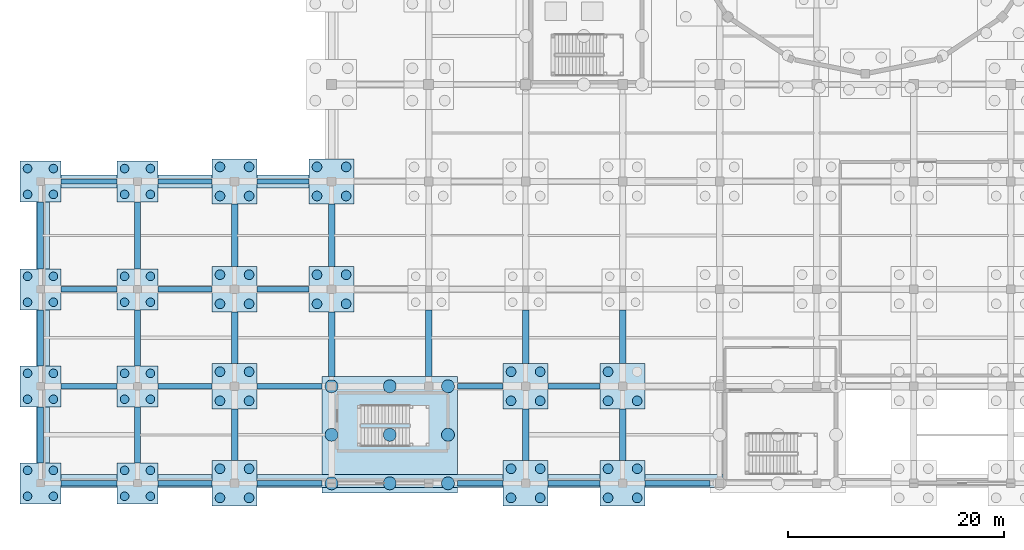
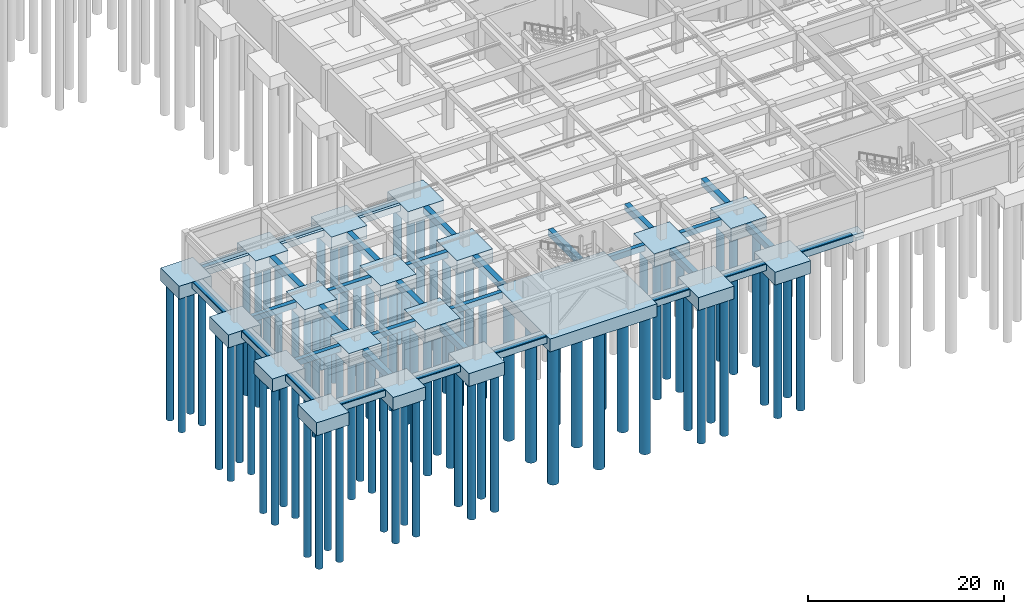
# One storey, part 1 of 62: 80 piles, 55 footings.
"""IFC4 building model written with IfcOpenShell, lengths in metres."""

import ifcopenshell
import ifcopenshell.guid

model = None  # the IFC model being written
_history = None  # IfcOwnerHistory: only IFC2X3 demands one
_inside = {}  # id of a spatial element -> (the spatial element, [elements in it])
_under = {}  # id of a project, library or spatial element -> (it, [spatial elements below it])
_declared = {}  # id of a project -> (the project, [libraries it declares])
_typed = {}  # id of a type object -> (the type object, [elements of that type])
_made_of = {}  # id of a material, layer set ... -> (it, [elements and type objects made of it])


def new_model(schema):
    """Start an empty IFC model of exactly this schema.

    Asked for "IFC4X3", IfcOpenShell would pick the latest addendum, in which some entities
    have other attributes; the version numbers below select the first issue.
    IFC2X3 requires an IfcOwnerHistory on every rooted entity: one is made here for all.
    """
    global model, _history
    if schema == "IFC4X3":
        model = ifcopenshell.file(schema_version=(4, 3, 0, 0))
    else:
        model = ifcopenshell.file(schema=schema)
    _inside.clear()
    _under.clear()
    _declared.clear()
    _typed.clear()
    _made_of.clear()
    _history = None
    if model.schema == "IFC2X3":
        org = make("IfcOrganization", Name="unknown")
        user = make(
            "IfcPersonAndOrganization",
            ThePerson=make("IfcPerson", FamilyName="unknown"),
            TheOrganization=org,
        )
        app = make(
            "IfcApplication",
            ApplicationDeveloper=org,
            Version="unknown",
            ApplicationFullName="unknown",
            ApplicationIdentifier="unknown",
        )
        _history = make(
            "IfcOwnerHistory",
            OwningUser=user,
            OwningApplication=app,
            ChangeAction="ADDED",
            CreationDate=0,
        )
    return model


def make(cls, **values):
    """One entity of the class cls with the attributes given. An attribute that is None is left unset."""
    return model.create_entity(
        cls, **{name: value for name, value in values.items() if value is not None}
    )


def rooted(cls, **values):
    """An entity with a GlobalId (a new one), such as an element, a storey or a relation."""
    return make(cls, GlobalId=ifcopenshell.guid.new(), OwnerHistory=_history, **values)


def si_unit(unit_type, name, prefix=None):
    """IfcSIUnit, for example si_unit("LENGTHUNIT", "METRE", prefix="MILLI")."""
    return make("IfcSIUnit", UnitType=unit_type, Prefix=prefix, Name=name)


def assignment(units):
    """IfcUnitAssignment: the units of a project."""
    return None if units is None else make("IfcUnitAssignment", Units=units)


def point(xyz):
    """IfcCartesianPoint."""
    return None if xyz is None else make("IfcCartesianPoint", Coordinates=xyz)


def direction(xyz):
    """IfcDirection."""
    return None if xyz is None else make("IfcDirection", DirectionRatios=xyz)


def frame(location, z_axis=None, x_axis=None):
    """IfcAxis2Placement3D, a coordinate frame: its origin and axes. An axis left out is left unset."""
    return make(
        "IfcAxis2Placement3D",
        Location=point(location),
        Axis=direction(z_axis),
        RefDirection=direction(x_axis),
    )


def frame_2d(location, x_axis=None):
    """IfcAxis2Placement2D, a coordinate frame in the plane: its origin and x axis."""
    return make(
        "IfcAxis2Placement2D", Location=point(location), RefDirection=direction(x_axis)
    )


def origin():
    """The frame at (0, 0, 0) with its axes left unset."""
    return frame((0.0, 0.0, 0.0))


def origin_2d():
    """The frame at (0, 0) in the plane with its x axis left unset."""
    return frame_2d((0.0, 0.0))


def place(relative_to, where):
    """IfcLocalPlacement: puts the frame where relative to a parent placement (None: the world)."""
    return make(
        "IfcLocalPlacement", PlacementRelTo=relative_to, RelativePlacement=where
    )


def context(
    kind, dimensions, precision=None, world=None, true_north=None, identifier=None
):
    """IfcGeometricRepresentationContext, for example the 3D "Model" context."""
    return make(
        "IfcGeometricRepresentationContext",
        ContextIdentifier=identifier,
        ContextType=kind,
        CoordinateSpaceDimension=dimensions,
        Precision=precision,
        WorldCoordinateSystem=world,
        TrueNorth=true_north,
    )


def subcontext(parent, identifier, kind, view, scale=None):
    """IfcGeometricRepresentationSubContext, for example "Body" below "Model"."""
    return make(
        "IfcGeometricRepresentationSubContext",
        ContextIdentifier=identifier,
        ContextType=kind,
        ParentContext=parent,
        TargetScale=scale,
        TargetView=view,
    )


def project(units=None, contexts=None):
    """IfcProject with its units and contexts."""
    return rooted(
        "IfcProject",
        Name="project",
        RepresentationContexts=contexts,
        UnitsInContext=assignment(units),
    )


def spatial(cls, under=None, at=None, **own):
    """A site, building, storey or space (cls), placed at a placement, below another one or the project."""
    s = rooted(cls, ObjectPlacement=at, **own)
    if under is not None:
        _under.setdefault(under.id(), (under, []))[1].append(s)
    return s


def polyline(points):
    """IfcPolyline through the points."""
    return make("IfcPolyline", Points=[point(p) for p in points])


def profile(cls, at=None, kind="AREA", **sizes):
    """A parametric profile (cls). Its sizes go by their IFC names, for example OverallWidth=200.0."""
    return make(cls, ProfileType=kind, Position=at, **sizes)


def rectangle(**sizes):
    """IfcRectangleProfileDef."""
    return profile("IfcRectangleProfileDef", **sizes)


def circle(**sizes):
    """IfcCircleProfileDef."""
    return profile("IfcCircleProfileDef", **sizes)


def outline(outer, holes=None, kind="AREA"):
    """IfcArbitraryClosedProfileDef: a profile drawn as a closed curve; with holes, ...WithVoids."""
    if holes is None:
        return make("IfcArbitraryClosedProfileDef", ProfileType=kind, OuterCurve=outer)
    return make(
        "IfcArbitraryProfileDefWithVoids",
        ProfileType=kind,
        OuterCurve=outer,
        InnerCurves=holes,
    )


def extrude(swept, where, along, depth):
    """IfcExtrudedAreaSolid: the profile swept, set in the frame where, extruded along a direction by depth."""
    return make(
        "IfcExtrudedAreaSolid",
        SweptArea=swept,
        Position=where,
        ExtrudedDirection=direction(along),
        Depth=depth,
    )


def shape(context_of_items, identifier, shape_type, items):
    """IfcShapeRepresentation: the items that make up one representation, for example the "Body"."""
    return make(
        "IfcShapeRepresentation",
        ContextOfItems=context_of_items,
        RepresentationIdentifier=identifier,
        RepresentationType=shape_type,
        Items=items,
    )


def material(Name=None, Category=None):
    """IfcMaterial."""
    return make("IfcMaterial", Name=Name, Category=Category)


def material_profile(
    of_material, cross_section, Name=None, Category=None, Priority=None
):
    """IfcMaterialProfile: a cross section and its material."""
    return make(
        "IfcMaterialProfile",
        Name=Name,
        Material=of_material,
        Profile=cross_section,
        Priority=Priority,
        Category=Category,
    )


def profile_set(profiles, Name=None, composite=None):
    """IfcMaterialProfileSet."""
    return make(
        "IfcMaterialProfileSet",
        Name=Name,
        MaterialProfiles=profiles,
        CompositeProfile=composite,
    )


def made_of(thing, what):
    """Note that an element or type object is made of a material, layer set ...; save() writes the relation."""
    if what is not None:
        _made_of.setdefault(what.id(), (what, []))[1].append(thing)
    return thing


def type_object(cls, material=None, **own):
    """A type object (cls), such as IfcWallType, which elements share."""
    return made_of(rooted(cls, **own), material)


def element(
    cls,
    number,
    at=None,
    inside=None,
    cuts=None,
    type_object=None,
    material=None,
    context=None,
    identifier="Body",
    shape_type=None,
    held_by="IfcProductDefinitionShape",
    body=None,
    shapes=None,
    **own,
):
    """One element of the class cls, such as IfcWall. Its Tag is "e" and its number.

    at: its placement. inside: the storey or other place that contains it. cuts: it is an
    opening in that element (IfcRelVoidsElement). A single representation is given by context,
    identifier, shape_type and body (its items); several are given by shapes. held_by: the class
    of the entity that holds the representations. save() writes the other relations.
    """
    e = rooted(cls, Tag="e%d" % number, ObjectPlacement=at, **own)
    if body is not None:
        shapes = [shape(context, identifier, shape_type, body)]
    if shapes is not None:
        e.Representation = make(held_by, Representations=shapes)
    if inside is not None:
        _inside.setdefault(inside.id(), (inside, []))[1].append(e)
    if cuts is not None:
        rooted(
            "IfcRelVoidsElement", RelatingBuildingElement=cuts, RelatedOpeningElement=e
        )
    if type_object is not None:
        _typed.setdefault(type_object.id(), (type_object, []))[1].append(e)
    return made_of(e, material)


def aggregate(whole, parts):
    """IfcRelAggregates: a whole, such as a stair, and the parts it consists of."""
    return rooted("IfcRelAggregates", RelatingObject=whole, RelatedObjects=parts)


def save(model, path):
    """Write the relations noted so far, then the file.

    IfcRelAggregates (storeys below a building ...), IfcRelContainedInSpatialStructure (elements
    in a storey), IfcRelDefinesByType, IfcRelAssociatesMaterial and IfcRelDeclares: one each for
    every whole, place, type object, material and project.
    """
    for whole, parts in _under.values():
        aggregate(whole, parts)
    for where, things in _inside.values():
        rooted(
            "IfcRelContainedInSpatialStructure",
            RelatedElements=things,
            RelatingStructure=where,
        )
    for kind, things in _typed.values():
        rooted("IfcRelDefinesByType", RelatedObjects=things, RelatingType=kind)
    for what, things in _made_of.values():
        rooted("IfcRelAssociatesMaterial", RelatedObjects=things, RelatingMaterial=what)
    for by, libraries in _declared.values():
        rooted("IfcRelDeclares", RelatingContext=by, RelatedDefinitions=libraries)
    model.write(path)


model = new_model("IFC4")

# Units and contexts
model_context = context("Model", 3, precision=1e-05, world=origin(), true_north=direction((0.0, 1.0)))
body_context = subcontext(model_context, "Body", "Model", "MODEL_VIEW")
ifc_project = project(units=[si_unit("LENGTHUNIT", "METRE"), si_unit("AREAUNIT", "SQUARE_METRE"), si_unit("VOLUMEUNIT", "CUBIC_METRE"), si_unit("PLANEANGLEUNIT", "RADIAN"), si_unit("MASSUNIT", "GRAM", prefix="KILO")], contexts=[model_context])

# Site, building, storey
site_placement = place(None, origin())
site = spatial("IfcSite", under=ifc_project, at=site_placement, CompositionType="ELEMENT")
building_placement = place(site_placement, origin())
building = spatial("IfcBuilding", under=site, at=building_placement, Name="Miravela Opera House", CompositionType="ELEMENT")
storey_placement = place(building_placement, frame((0.0, 0.0, -5.10009765625)))
storey = spatial("IfcBuildingStorey", under=building, at=storey_placement, Name="B01", CompositionType="ELEMENT", Elevation=-5.10009765625)

# Footings
ifc_material = material(Name="Concrete C35/45", Category="concrete")
footing_type_1 = type_object("IfcFootingType", Name="STR-GB-500X750", PredefinedType="FOOTING_BEAM", material=ifc_material)
footing_1_placement = place(storey_placement, frame((0.0, 0.0, -0.75)))
element("IfcFooting", 1, at=footing_1_placement, inside=storey, type_object=footing_type_1, Name="Seismic Grade Tie Beam GB-X-180", PredefinedType="FOOTING_BEAM", context=body_context, shape_type="SweptSolid", body=[
    extrude(outline(polyline([(1.89990234375, -0.25), (7.10009765625, -0.25), (7.10009765625, 0.25), (1.89990234375, 0.25), (1.89990234375, -0.25)])), origin(), (0.0, 0.0, 1.0), 0.75),
])
footing_2_placement = place(storey_placement, frame((0.0, 0.0, -0.75)))
element("IfcFooting", 2, at=footing_2_placement, inside=storey, type_object=footing_type_1, Name="Seismic Grade Tie Beam GB-X-181", PredefinedType="FOOTING_BEAM", context=body_context, shape_type="SweptSolid", body=[
    extrude(outline(polyline([(10.89990234375, -0.25), (15.89990234375, -0.25), (15.89990234375, 0.25), (10.89990234375, 0.25), (10.89990234375, -0.25)])), origin(), (0.0, 0.0, 1.0), 0.75),
])
footing_3_placement = place(storey_placement, frame((0.0, 0.0, -0.75)))
element("IfcFooting", 3, at=footing_3_placement, inside=storey, type_object=footing_type_1, Name="Seismic Grade Tie Beam GB-X-182", PredefinedType="FOOTING_BEAM", context=body_context, shape_type="SweptSolid", body=[
    extrude(outline(polyline([(20.10009765625, -0.25), (26.10009765625, -0.25), (26.10009765625, 0.25), (20.10009765625, 0.25), (20.10009765625, -0.25)])), origin(), (0.0, 0.0, 1.0), 0.75),
])
footing_4_placement = place(storey_placement, frame((0.0, 0.0, -0.75)))
element("IfcFooting", 4, at=footing_4_placement, inside=storey, type_object=footing_type_1, Name="Seismic Grade Tie Beam GB-X-183", PredefinedType="FOOTING_BEAM", context=body_context, shape_type="SweptSolid", body=[
    extrude(outline(polyline([(38.699951171875, -0.25), (42.89990234375, -0.25), (42.89990234375, 0.25), (38.699951171875, 0.25), (38.699951171875, -0.25)])), origin(), (0.0, 0.0, 1.0), 0.75),
])
footing_5_placement = place(storey_placement, frame((0.0, 0.0, -0.75)))
element("IfcFooting", 5, at=footing_5_placement, inside=storey, type_object=footing_type_1, Name="Seismic Grade Tie Beam GB-X-184", PredefinedType="FOOTING_BEAM", context=body_context, shape_type="SweptSolid", body=[
    extrude(outline(polyline([(47.10009765625, -0.25), (51.89990234375, -0.25), (51.89990234375, 0.25), (47.10009765625, 0.25), (47.10009765625, -0.25)])), origin(), (0.0, 0.0, 1.0), 0.75),
])
footing_6_placement = place(storey_placement, frame((0.0, 0.0, -0.75)))
element("IfcFooting", 6, at=footing_6_placement, inside=storey, type_object=footing_type_1, Name="Seismic Grade Tie Beam GB-X-185", PredefinedType="FOOTING_BEAM", context=body_context, shape_type="SweptSolid", body=[
    extrude(outline(polyline([(56.10009765625, -0.25), (62.10009765625, -0.25), (62.10009765625, 0.25), (56.10009765625, 0.25), (56.10009765625, -0.25)])), origin(), (0.0, 0.0, 1.0), 0.75),
])
footing_7_placement = place(storey_placement, frame((0.0, 0.0, -0.75)))
element("IfcFooting", 7, at=footing_7_placement, inside=storey, type_object=footing_type_1, Name="Seismic Grade Tie Beam GB-X-195", PredefinedType="FOOTING_BEAM", context=body_context, shape_type="SweptSolid", body=[
    extrude(outline(polyline([(1.89990234375, 8.75), (7.10009765625, 8.75), (7.10009765625, 9.25), (1.89990234375, 9.25), (1.89990234375, 8.75)])), origin(), (0.0, 0.0, 1.0), 0.75),
])
footing_8_placement = place(storey_placement, frame((0.0, 0.0, -0.75)))
element("IfcFooting", 8, at=footing_8_placement, inside=storey, type_object=footing_type_1, Name="Seismic Grade Tie Beam GB-X-196", PredefinedType="FOOTING_BEAM", context=body_context, shape_type="SweptSolid", body=[
    extrude(outline(polyline([(10.89990234375, 8.75), (15.89990234375, 8.75), (15.89990234375, 9.25), (10.89990234375, 9.25), (10.89990234375, 8.75)])), origin(), (0.0, 0.0, 1.0), 0.75),
])
footing_9_placement = place(storey_placement, frame((0.0, 0.0, -0.75)))
element("IfcFooting", 9, at=footing_9_placement, inside=storey, type_object=footing_type_1, Name="Seismic Grade Tie Beam GB-X-197", PredefinedType="FOOTING_BEAM", context=body_context, shape_type="SweptSolid", body=[
    extrude(outline(polyline([(20.10009765625, 8.75), (26.10009765625, 8.75), (26.10009765625, 9.25), (20.10009765625, 9.25), (20.10009765625, 8.75)])), origin(), (0.0, 0.0, 1.0), 0.75),
])
footing_10_placement = place(storey_placement, frame((0.0, 0.0, -0.75)))
element("IfcFooting", 10, at=footing_10_placement, inside=storey, type_object=footing_type_1, Name="Seismic Grade Tie Beam GB-X-198", PredefinedType="FOOTING_BEAM", context=body_context, shape_type="SweptSolid", body=[
    extrude(outline(polyline([(38.699951171875, 8.75), (42.89990234375, 8.75), (42.89990234375, 9.25), (38.699951171875, 9.25), (38.699951171875, 8.75)])), origin(), (0.0, 0.0, 1.0), 0.75),
])
footing_11_placement = place(storey_placement, frame((0.0, 0.0, -0.75)))
element("IfcFooting", 11, at=footing_11_placement, inside=storey, type_object=footing_type_1, Name="Seismic Grade Tie Beam GB-X-199", PredefinedType="FOOTING_BEAM", context=body_context, shape_type="SweptSolid", body=[
    extrude(outline(polyline([(47.10009765625, 8.75), (51.89990234375, 8.75), (51.89990234375, 9.25), (47.10009765625, 9.25), (47.10009765625, 8.75)])), origin(), (0.0, 0.0, 1.0), 0.75),
])
footing_12_placement = place(storey_placement, frame((0.0, 0.0, -0.75)))
element("IfcFooting", 12, at=footing_12_placement, inside=storey, type_object=footing_type_1, Name="Seismic Grade Tie Beam GB-X-210", PredefinedType="FOOTING_BEAM", context=body_context, shape_type="SweptSolid", body=[
    extrude(outline(polyline([(1.89990234375, 17.75), (7.10009765625, 17.75), (7.10009765625, 18.25), (1.89990234375, 18.25), (1.89990234375, 17.75)])), origin(), (0.0, 0.0, 1.0), 0.75),
])
footing_13_placement = place(storey_placement, frame((0.0, 0.0, -0.75)))
element("IfcFooting", 13, at=footing_13_placement, inside=storey, type_object=footing_type_1, Name="Seismic Grade Tie Beam GB-X-211", PredefinedType="FOOTING_BEAM", context=body_context, shape_type="SweptSolid", body=[
    extrude(outline(polyline([(10.89990234375, 17.75), (15.89990234375, 17.75), (15.89990234375, 18.25), (10.89990234375, 18.25), (10.89990234375, 17.75)])), origin(), (0.0, 0.0, 1.0), 0.75),
])
footing_14_placement = place(storey_placement, frame((0.0, 0.0, -0.75)))
element("IfcFooting", 14, at=footing_14_placement, inside=storey, type_object=footing_type_1, Name="Seismic Grade Tie Beam GB-X-212", PredefinedType="FOOTING_BEAM", context=body_context, shape_type="SweptSolid", body=[
    extrude(outline(polyline([(20.10009765625, 17.75), (24.89990234375, 17.75), (24.89990234375, 18.25), (20.10009765625, 18.25), (20.10009765625, 17.75)])), origin(), (0.0, 0.0, 1.0), 0.75),
])
footing_15_placement = place(storey_placement, frame((0.0, 0.0, -0.75)))
element("IfcFooting", 15, at=footing_15_placement, inside=storey, type_object=footing_type_1, Name="Seismic Grade Tie Beam GB-X-228", PredefinedType="FOOTING_BEAM", context=body_context, shape_type="SweptSolid", body=[
    extrude(outline(polyline([(1.89990234375, 27.75), (7.10009765625, 27.75), (7.10009765625, 28.25), (1.89990234375, 28.25), (1.89990234375, 27.75)])), origin(), (0.0, 0.0, 1.0), 0.75),
])
footing_16_placement = place(storey_placement, frame((0.0, 0.0, -0.75)))
element("IfcFooting", 16, at=footing_16_placement, inside=storey, type_object=footing_type_1, Name="Seismic Grade Tie Beam GB-X-229", PredefinedType="FOOTING_BEAM", context=body_context, shape_type="SweptSolid", body=[
    extrude(outline(polyline([(10.89990234375, 27.75), (15.89990234375, 27.75), (15.89990234375, 28.25), (10.89990234375, 28.25), (10.89990234375, 27.75)])), origin(), (0.0, 0.0, 1.0), 0.75),
])
footing_17_placement = place(storey_placement, frame((0.0, 0.0, -0.75)))
element("IfcFooting", 17, at=footing_17_placement, inside=storey, type_object=footing_type_1, Name="Seismic Grade Tie Beam GB-X-230", PredefinedType="FOOTING_BEAM", context=body_context, shape_type="SweptSolid", body=[
    extrude(outline(polyline([(20.10009765625, 27.75), (24.89990234375, 27.75), (24.89990234375, 28.25), (20.10009765625, 28.25), (20.10009765625, 27.75)])), origin(), (0.0, 0.0, 1.0), 0.75),
])
footing_type_2 = type_object("IfcFootingType", Name="STR-GB-600X800", PredefinedType="FOOTING_BEAM", material=ifc_material)
footing_18_placement = place(storey_placement, frame((0.0, 0.0, -0.7998046875)))
element("IfcFooting", 18, at=footing_18_placement, inside=storey, type_object=footing_type_2, Name="Seismic Grade Tie Beam GB-Y-001", PredefinedType="FOOTING_BEAM", context=body_context, shape_type="SweptSolid", body=[
    extrude(outline(polyline([(-0.300048828125, 1.89990234375), (0.300048828125, 1.89990234375), (0.300048828125, 7.10009765625), (-0.300048828125, 7.10009765625), (-0.300048828125, 1.89990234375)])), origin(), (0.0, 0.0, 1.0), 0.7998046875),
])
footing_19_placement = place(storey_placement, frame((0.0, 0.0, -0.7998046875)))
element("IfcFooting", 19, at=footing_19_placement, inside=storey, type_object=footing_type_2, Name="Seismic Grade Tie Beam GB-Y-002", PredefinedType="FOOTING_BEAM", context=body_context, shape_type="SweptSolid", body=[
    extrude(outline(polyline([(-0.300048828125, 10.89990234375), (0.300048828125, 10.89990234375), (0.300048828125, 16.10009765625), (-0.300048828125, 16.10009765625), (-0.300048828125, 10.89990234375)])), origin(), (0.0, 0.0, 1.0), 0.7998046875),
])
footing_20_placement = place(storey_placement, frame((0.0, 0.0, -0.7998046875)))
element("IfcFooting", 20, at=footing_20_placement, inside=storey, type_object=footing_type_2, Name="Seismic Grade Tie Beam GB-Y-003", PredefinedType="FOOTING_BEAM", context=body_context, shape_type="SweptSolid", body=[
    extrude(outline(polyline([(-0.300048828125, 19.89990234375), (0.300048828125, 19.89990234375), (0.300048828125, 26.10009765625), (-0.300048828125, 26.10009765625), (-0.300048828125, 19.89990234375)])), origin(), (0.0, 0.0, 1.0), 0.7998046875),
])
footing_21_placement = place(storey_placement, frame((0.0, 0.0, -0.7998046875)))
element("IfcFooting", 21, at=footing_21_placement, inside=storey, type_object=footing_type_2, Name="Seismic Grade Tie Beam GB-Y-007", PredefinedType="FOOTING_BEAM", context=body_context, shape_type="SweptSolid", body=[
    extrude(outline(polyline([(8.699951171875, 1.89990234375), (9.300048828125, 1.89990234375), (9.300048828125, 7.10009765625), (8.699951171875, 7.10009765625), (8.699951171875, 1.89990234375)])), origin(), (0.0, 0.0, 1.0), 0.7998046875),
])
footing_22_placement = place(storey_placement, frame((0.0, 0.0, -0.7998046875)))
element("IfcFooting", 22, at=footing_22_placement, inside=storey, type_object=footing_type_2, Name="Seismic Grade Tie Beam GB-Y-008", PredefinedType="FOOTING_BEAM", context=body_context, shape_type="SweptSolid", body=[
    extrude(outline(polyline([(8.699951171875, 10.89990234375), (9.300048828125, 10.89990234375), (9.300048828125, 16.10009765625), (8.699951171875, 16.10009765625), (8.699951171875, 10.89990234375)])), origin(), (0.0, 0.0, 1.0), 0.7998046875),
])
footing_23_placement = place(storey_placement, frame((0.0, 0.0, -0.7998046875)))
element("IfcFooting", 23, at=footing_23_placement, inside=storey, type_object=footing_type_2, Name="Seismic Grade Tie Beam GB-Y-009", PredefinedType="FOOTING_BEAM", context=body_context, shape_type="SweptSolid", body=[
    extrude(outline(polyline([(8.699951171875, 19.89990234375), (9.300048828125, 19.89990234375), (9.300048828125, 26.10009765625), (8.699951171875, 26.10009765625), (8.699951171875, 19.89990234375)])), origin(), (0.0, 0.0, 1.0), 0.7998046875),
])
footing_24_placement = place(storey_placement, frame((0.0, 0.0, -0.7998046875)))
element("IfcFooting", 24, at=footing_24_placement, inside=storey, type_object=footing_type_2, Name="Seismic Grade Tie Beam GB-Y-013", PredefinedType="FOOTING_BEAM", context=body_context, shape_type="SweptSolid", body=[
    extrude(outline(polyline([(17.699951171875, 2.10009765625), (18.300048828125, 2.10009765625), (18.300048828125, 6.89990234375), (17.699951171875, 6.89990234375), (17.699951171875, 2.10009765625)])), origin(), (0.0, 0.0, 1.0), 0.7998046875),
])
footing_25_placement = place(storey_placement, frame((0.0, 0.0, -0.7998046875)))
element("IfcFooting", 25, at=footing_25_placement, inside=storey, type_object=footing_type_2, Name="Seismic Grade Tie Beam GB-Y-014", PredefinedType="FOOTING_BEAM", context=body_context, shape_type="SweptSolid", body=[
    extrude(outline(polyline([(17.699951171875, 11.10009765625), (18.300048828125, 11.10009765625), (18.300048828125, 15.89990234375), (17.699951171875, 15.89990234375), (17.699951171875, 11.10009765625)])), origin(), (0.0, 0.0, 1.0), 0.7998046875),
])
footing_26_placement = place(storey_placement, frame((0.0, 0.0, -0.7998046875)))
element("IfcFooting", 26, at=footing_26_placement, inside=storey, type_object=footing_type_2, Name="Seismic Grade Tie Beam GB-Y-015", PredefinedType="FOOTING_BEAM", context=body_context, shape_type="SweptSolid", body=[
    extrude(outline(polyline([(17.699951171875, 20.10009765625), (18.300048828125, 20.10009765625), (18.300048828125, 25.89990234375), (17.699951171875, 25.89990234375), (17.699951171875, 20.10009765625)])), origin(), (0.0, 0.0, 1.0), 0.7998046875),
])
footing_27_placement = place(storey_placement, frame((0.0, 0.0, -0.7998046875)))
element("IfcFooting", 27, at=footing_27_placement, inside=storey, type_object=footing_type_2, Name="Seismic Grade Tie Beam GB-Y-019", PredefinedType="FOOTING_BEAM", context=body_context, shape_type="SweptSolid", body=[
    extrude(outline(polyline([(26.699951171875, 9.89990234375), (27.300048828125, 9.89990234375), (27.300048828125, 15.89990234375), (26.699951171875, 15.89990234375), (26.699951171875, 9.89990234375)])), origin(), (0.0, 0.0, 1.0), 0.7998046875),
])
footing_28_placement = place(storey_placement, frame((0.0, 0.0, -0.7998046875)))
element("IfcFooting", 28, at=footing_28_placement, inside=storey, type_object=footing_type_2, Name="Seismic Grade Tie Beam GB-Y-020", PredefinedType="FOOTING_BEAM", context=body_context, shape_type="SweptSolid", body=[
    extrude(outline(polyline([(26.699951171875, 20.10009765625), (27.300048828125, 20.10009765625), (27.300048828125, 25.89990234375), (26.699951171875, 25.89990234375), (26.699951171875, 20.10009765625)])), origin(), (0.0, 0.0, 1.0), 0.7998046875),
])
footing_29_placement = place(storey_placement, frame((0.0, 0.0, -0.7998046875)))
element("IfcFooting", 29, at=footing_29_placement, inside=storey, type_object=footing_type_2, Name="Seismic Grade Tie Beam GB-Y-030", PredefinedType="FOOTING_BEAM", context=body_context, shape_type="SweptSolid", body=[
    extrude(outline(polyline([(35.699951171875, 9.89990234375), (36.300048828125, 9.89990234375), (36.300048828125, 16.10009765625), (35.699951171875, 16.10009765625), (35.699951171875, 9.89990234375)])), origin(), (0.0, 0.0, 1.0), 0.7998046875),
])
footing_30_placement = place(storey_placement, frame((0.0, 0.0, -0.7998046875)))
element("IfcFooting", 30, at=footing_30_placement, inside=storey, type_object=footing_type_2, Name="Seismic Grade Tie Beam GB-Y-041", PredefinedType="FOOTING_BEAM", context=body_context, shape_type="SweptSolid", body=[
    extrude(outline(polyline([(44.699951171875, 2.10009765625), (45.300048828125, 2.10009765625), (45.300048828125, 6.89990234375), (44.699951171875, 6.89990234375), (44.699951171875, 2.10009765625)])), origin(), (0.0, 0.0, 1.0), 0.7998046875),
])
footing_31_placement = place(storey_placement, frame((0.0, 0.0, -0.7998046875)))
element("IfcFooting", 31, at=footing_31_placement, inside=storey, type_object=footing_type_2, Name="Seismic Grade Tie Beam GB-Y-042", PredefinedType="FOOTING_BEAM", context=body_context, shape_type="SweptSolid", body=[
    extrude(outline(polyline([(44.699951171875, 11.10009765625), (45.300048828125, 11.10009765625), (45.300048828125, 16.10009765625), (44.699951171875, 16.10009765625), (44.699951171875, 11.10009765625)])), origin(), (0.0, 0.0, 1.0), 0.7998046875),
])
footing_32_placement = place(storey_placement, frame((0.0, 0.0, -0.7998046875)))
element("IfcFooting", 32, at=footing_32_placement, inside=storey, type_object=footing_type_2, Name="Seismic Grade Tie Beam GB-Y-051", PredefinedType="FOOTING_BEAM", context=body_context, shape_type="SweptSolid", body=[
    extrude(outline(polyline([(53.699951171875, 2.10009765625), (54.300048828125, 2.10009765625), (54.300048828125, 6.89990234375), (53.699951171875, 6.89990234375), (53.699951171875, 2.10009765625)])), origin(), (0.0, 0.0, 1.0), 0.7998046875),
])
footing_33_placement = place(storey_placement, frame((0.0, 0.0, -0.7998046875)))
element("IfcFooting", 33, at=footing_33_placement, inside=storey, type_object=footing_type_2, Name="Seismic Grade Tie Beam GB-Y-052", PredefinedType="FOOTING_BEAM", context=body_context, shape_type="SweptSolid", body=[
    extrude(outline(polyline([(53.699951171875, 11.10009765625), (54.300048828125, 11.10009765625), (54.300048828125, 16.10009765625), (53.699951171875, 16.10009765625), (53.699951171875, 11.10009765625)])), origin(), (0.0, 0.0, 1.0), 0.7998046875),
])
footing_type_3 = type_object("IfcFootingType", Name="STR-PC-12600X10800X1600", PredefinedType="PILE_CAP", material=ifc_material)
footing_34_placement = place(storey_placement, frame((32.39990234375, 4.5, -1.599853515625), z_axis=(0.0, 0.0, 1.0), x_axis=(1.0, 0.0, 0.0)))
element("IfcFooting", 34, at=footing_34_placement, inside=storey, type_object=footing_type_3, Name="Pile Cap PC-B01-025 (PC-03)", PredefinedType="PILE_CAP", context=body_context, shape_type="SweptSolid", body=[
    extrude(rectangle(XDim=12.60009765625, YDim=10.800048828125, at=origin_2d()), origin(), (0.0, 0.0, 1.0), 1.60009765625),
])
footing_type_4 = type_object("IfcFootingType", Name="STR-PC-3800X3800X1600", PredefinedType="PILE_CAP", material=ifc_material)
for number, where, z_axis, x_axis, name in (
    (35, (0.0, 0.0, -1.599853515625), (0.0, 0.0, 1.0), (1.0, 0.0, 0.0), "Pile Cap PC-B01-001 (PC-01)"),
    (36, (0.0, 9.0, -1.599853515625), (0.0, 0.0, 1.0), (1.0, 0.0, 0.0), "Pile Cap PC-B01-002 (PC-01)"),
    (37, (0.0, 18.0, -1.599853515625), (0.0, 0.0, 1.0), (1.0, 0.0, 0.0), "Pile Cap PC-B01-003 (PC-01)"),
    (38, (0.0, 28.0, -1.599853515625), (0.0, 0.0, 1.0), (1.0, 0.0, 0.0), "Pile Cap PC-B01-004 (PC-01)"),
    (39, (9.0, 0.0, -1.599853515625), (0.0, 0.0, 1.0), (1.0, 0.0, 0.0), "Pile Cap PC-B01-009 (PC-01)"),
    (40, (9.0, 9.0, -1.599853515625), (0.0, 0.0, 1.0), (1.0, 0.0, 0.0), "Pile Cap PC-B01-010 (PC-01)"),
    (41, (9.0, 18.0, -1.599853515625), (0.0, 0.0, 1.0), (1.0, 0.0, 0.0), "Pile Cap PC-B01-011 (PC-01)"),
    (42, (9.0, 28.0, -1.599853515625), (0.0, 0.0, 1.0), (1.0, 0.0, 0.0), "Pile Cap PC-B01-012 (PC-01)"),
):
    element("IfcFooting", number, at=place(storey_placement, frame(where, z_axis=z_axis, x_axis=x_axis)), inside=storey, type_object=footing_type_4, Name=name, PredefinedType="PILE_CAP", context=body_context, shape_type="SweptSolid", body=[
        extrude(rectangle(XDim=3.800048828125, YDim=3.800048828125, at=origin_2d()), origin(), (0.0, 0.0, 1.0), 1.60009765625),
    ])
footing_type_5 = type_object("IfcFootingType", Name="STR-PC-4200X4200X1600", PredefinedType="PILE_CAP", material=ifc_material)
for number, where, z_axis, x_axis, name in (
    (43, (18.0, 0.0, -1.599853515625), (0.0, 0.0, 1.0), (1.0, 0.0, 0.0), "Pile Cap PC-B01-017 (PC-02)"),
    (44, (18.0, 9.0, -1.599853515625), (0.0, 0.0, 1.0), (1.0, 0.0, 0.0), "Pile Cap PC-B01-018 (PC-02)"),
    (45, (18.0, 18.0, -1.599853515625), (0.0, 0.0, 1.0), (1.0, 0.0, 0.0), "Pile Cap PC-B01-019 (PC-02)"),
    (46, (18.0, 28.0, -1.599853515625), (0.0, 0.0, 1.0), (1.0, 0.0, 0.0), "Pile Cap PC-B01-020 (PC-02)"),
    (47, (27.0, 18.0, -1.599853515625), (0.0, 0.0, 1.0), (1.0, 0.0, 0.0), "Pile Cap PC-B01-026 (PC-02)"),
    (48, (27.0, 28.0, -1.599853515625), (0.0, 0.0, 1.0), (1.0, 0.0, 0.0), "Pile Cap PC-B01-027 (PC-02)"),
    (49, (45.0, 0.0, -1.599853515625), (0.0, 0.0, 1.0), (1.0, 0.0, 0.0), "Pile Cap PC-B01-048 (PC-02)"),
    (50, (45.0, 9.0, -1.599853515625), (0.0, 0.0, 1.0), (1.0, 0.0, 0.0), "Pile Cap PC-B01-049 (PC-02)"),
    (51, (54.0, 0.0, -1.599853515625), (0.0, 0.0, 1.0), (1.0, 0.0, 0.0), "Pile Cap PC-B01-059 (PC-02)"),
    (52, (54.0, 9.0, -1.599853515625), (0.0, 0.0, 1.0), (1.0, 0.0, 0.0), "Pile Cap PC-B01-060 (PC-02)"),
):
    element("IfcFooting", number, at=place(storey_placement, frame(where, z_axis=z_axis, x_axis=x_axis)), inside=storey, type_object=footing_type_5, Name=name, PredefinedType="PILE_CAP", context=body_context, shape_type="SweptSolid", body=[
        extrude(rectangle(XDim=4.199951171875, YDim=4.199951171875, at=origin_2d()), origin(), (0.0, 0.0, 1.0), 1.60009765625),
    ])

# Piles
ifc_material_profile_1 = material_profile(ifc_material, circle(Radius=0.60009765625, at=origin_2d()), Name="PILE-D1200")
ifc_profile_set_1 = profile_set([ifc_material_profile_1])
pile_type_1 = type_object("IfcPileType", Name="STR-PILE-D1200", PredefinedType="BORED", material=ifc_profile_set_1)
for number, where, z_axis, x_axis, name in (
    (53, (27.0, 0.0, -1.449951171875), (0.0, 0.0, -1.0), (1.0, 0.0, 0.0), "Bored Pile P-097"),
    (54, (27.0, 4.5, -1.449951171875), (0.0, 0.0, -1.0), (1.0, 0.0, 0.0), "Bored Pile P-098"),
    (55, (27.0, 9.0, -1.449951171875), (0.0, 0.0, -1.0), (1.0, 0.0, 0.0), "Bored Pile P-099"),
    (56, (32.39990234375, 0.0, -1.449951171875), (0.0, 0.0, -1.0), (1.0, 0.0, 0.0), "Bored Pile P-100"),
    (57, (32.39990234375, 4.5, -1.449951171875), (0.0, 0.0, -1.0), (1.0, 0.0, 0.0), "Bored Pile P-101"),
    (58, (32.39990234375, 9.0, -1.449951171875), (0.0, 0.0, -1.0), (1.0, 0.0, 0.0), "Bored Pile P-102"),
    (59, (37.800048828125, 0.0, -1.449951171875), (0.0, 0.0, -1.0), (1.0, 0.0, 0.0), "Bored Pile P-103"),
    (60, (37.800048828125, 4.5, -1.449951171875), (0.0, 0.0, -1.0), (1.0, 0.0, 0.0), "Bored Pile P-104"),
    (61, (37.800048828125, 9.0, -1.449951171875), (0.0, 0.0, -1.0), (1.0, 0.0, 0.0), "Bored Pile P-105"),
):
    element("IfcPile", number, at=place(storey_placement, frame(where, z_axis=z_axis, x_axis=x_axis)), inside=storey, type_object=pile_type_1, Name=name, PredefinedType="BORED", context=body_context, shape_type="SweptSolid", body=[
        extrude(circle(Radius=0.60009765625, at=origin_2d()), origin(), (0.0, 0.0, 1.0), 17.14990234375),
    ])
ifc_material_profile_2 = material_profile(ifc_material, circle(Radius=0.39990234375, at=origin_2d()), Name="PILE-D800")
ifc_profile_set_2 = profile_set([ifc_material_profile_2])
pile_type_2 = type_object("IfcPileType", Name="STR-PILE-D800", PredefinedType="BORED", material=ifc_profile_set_2)
for number, where, z_axis, x_axis, name in (
    (62, (-1.199951171875, -1.199951171875, -1.449951171875), (0.0, 0.0, -1.0), (1.0, 0.0, 0.0), "Bored Pile P-001"),
    (63, (-1.199951171875, 1.199951171875, -1.449951171875), (0.0, 0.0, -1.0), (1.0, 0.0, 0.0), "Bored Pile P-002"),
    (64, (1.199951171875, -1.199951171875, -1.449951171875), (0.0, 0.0, -1.0), (1.0, 0.0, 0.0), "Bored Pile P-003"),
    (65, (1.199951171875, 1.199951171875, -1.449951171875), (0.0, 0.0, -1.0), (1.0, 0.0, 0.0), "Bored Pile P-004"),
    (66, (-1.199951171875, 7.800048828125, -1.449951171875), (0.0, 0.0, -1.0), (1.0, 0.0, 0.0), "Bored Pile P-005"),
    (67, (-1.199951171875, 10.199951171875, -1.449951171875), (0.0, 0.0, -1.0), (1.0, 0.0, 0.0), "Bored Pile P-006"),
    (68, (1.199951171875, 7.800048828125, -1.449951171875), (0.0, 0.0, -1.0), (1.0, 0.0, 0.0), "Bored Pile P-007"),
    (69, (1.199951171875, 10.199951171875, -1.449951171875), (0.0, 0.0, -1.0), (1.0, 0.0, 0.0), "Bored Pile P-008"),
    (70, (-1.199951171875, 16.800048828125, -1.449951171875), (0.0, 0.0, -1.0), (1.0, 0.0, 0.0), "Bored Pile P-009"),
    (71, (-1.199951171875, 19.199951171875, -1.449951171875), (0.0, 0.0, -1.0), (1.0, 0.0, 0.0), "Bored Pile P-010"),
    (72, (1.199951171875, 16.800048828125, -1.449951171875), (0.0, 0.0, -1.0), (1.0, 0.0, 0.0), "Bored Pile P-011"),
    (73, (1.199951171875, 19.199951171875, -1.449951171875), (0.0, 0.0, -1.0), (1.0, 0.0, 0.0), "Bored Pile P-012"),
    (74, (-1.199951171875, 26.800048828125, -1.449951171875), (0.0, 0.0, -1.0), (1.0, 0.0, 0.0), "Bored Pile P-013"),
    (75, (-1.199951171875, 29.199951171875, -1.449951171875), (0.0, 0.0, -1.0), (1.0, 0.0, 0.0), "Bored Pile P-014"),
    (76, (1.199951171875, 26.800048828125, -1.449951171875), (0.0, 0.0, -1.0), (1.0, 0.0, 0.0), "Bored Pile P-015"),
    (77, (1.199951171875, 29.199951171875, -1.449951171875), (0.0, 0.0, -1.0), (1.0, 0.0, 0.0), "Bored Pile P-016"),
    (78, (7.800048828125, -1.199951171875, -1.449951171875), (0.0, 0.0, -1.0), (1.0, 0.0, 0.0), "Bored Pile P-033"),
    (79, (7.800048828125, 1.199951171875, -1.449951171875), (0.0, 0.0, -1.0), (1.0, 0.0, 0.0), "Bored Pile P-034"),
    (80, (10.199951171875, -1.199951171875, -1.449951171875), (0.0, 0.0, -1.0), (1.0, 0.0, 0.0), "Bored Pile P-035"),
    (81, (10.199951171875, 1.199951171875, -1.449951171875), (0.0, 0.0, -1.0), (1.0, 0.0, 0.0), "Bored Pile P-036"),
    (82, (7.800048828125, 7.800048828125, -1.449951171875), (0.0, 0.0, -1.0), (1.0, 0.0, 0.0), "Bored Pile P-037"),
    (83, (7.800048828125, 10.199951171875, -1.449951171875), (0.0, 0.0, -1.0), (1.0, 0.0, 0.0), "Bored Pile P-038"),
    (84, (10.199951171875, 7.800048828125, -1.449951171875), (0.0, 0.0, -1.0), (1.0, 0.0, 0.0), "Bored Pile P-039"),
    (85, (10.199951171875, 10.199951171875, -1.449951171875), (0.0, 0.0, -1.0), (1.0, 0.0, 0.0), "Bored Pile P-040"),
    (86, (7.800048828125, 16.800048828125, -1.449951171875), (0.0, 0.0, -1.0), (1.0, 0.0, 0.0), "Bored Pile P-041"),
    (87, (7.800048828125, 19.199951171875, -1.449951171875), (0.0, 0.0, -1.0), (1.0, 0.0, 0.0), "Bored Pile P-042"),
    (88, (10.199951171875, 16.800048828125, -1.449951171875), (0.0, 0.0, -1.0), (1.0, 0.0, 0.0), "Bored Pile P-043"),
    (89, (10.199951171875, 19.199951171875, -1.449951171875), (0.0, 0.0, -1.0), (1.0, 0.0, 0.0), "Bored Pile P-044"),
    (90, (7.800048828125, 26.800048828125, -1.449951171875), (0.0, 0.0, -1.0), (1.0, 0.0, 0.0), "Bored Pile P-045"),
    (91, (7.800048828125, 29.199951171875, -1.449951171875), (0.0, 0.0, -1.0), (1.0, 0.0, 0.0), "Bored Pile P-046"),
    (92, (10.199951171875, 26.800048828125, -1.449951171875), (0.0, 0.0, -1.0), (1.0, 0.0, 0.0), "Bored Pile P-047"),
    (93, (10.199951171875, 29.199951171875, -1.449951171875), (0.0, 0.0, -1.0), (1.0, 0.0, 0.0), "Bored Pile P-048"),
):
    element("IfcPile", number, at=place(storey_placement, frame(where, z_axis=z_axis, x_axis=x_axis)), inside=storey, type_object=pile_type_2, Name=name, PredefinedType="BORED", context=body_context, shape_type="SweptSolid", body=[
        extrude(circle(Radius=0.39990234375, at=origin_2d()), origin(), (0.0, 0.0, 1.0), 17.14990234375),
    ])
ifc_material_profile_3 = material_profile(ifc_material, circle(Radius=0.449951171875, at=origin_2d()), Name="PILE-D900")
ifc_profile_set_3 = profile_set([ifc_material_profile_3])
pile_type_3 = type_object("IfcPileType", Name="STR-PILE-D900", PredefinedType="BORED", material=ifc_profile_set_3)
for number, where, z_axis, x_axis, name in (
    (94, (16.64990234375, -1.35009765625, -1.449951171875), (0.0, 0.0, -1.0), (1.0, 0.0, 0.0), "Bored Pile P-065"),
    (95, (16.64990234375, 1.35009765625, -1.449951171875), (0.0, 0.0, -1.0), (1.0, 0.0, 0.0), "Bored Pile P-066"),
    (96, (19.35009765625, -1.35009765625, -1.449951171875), (0.0, 0.0, -1.0), (1.0, 0.0, 0.0), "Bored Pile P-067"),
    (97, (19.35009765625, 1.35009765625, -1.449951171875), (0.0, 0.0, -1.0), (1.0, 0.0, 0.0), "Bored Pile P-068"),
    (98, (16.64990234375, 7.64990234375, -1.449951171875), (0.0, 0.0, -1.0), (1.0, 0.0, 0.0), "Bored Pile P-069"),
    (99, (16.64990234375, 10.35009765625, -1.449951171875), (0.0, 0.0, -1.0), (1.0, 0.0, 0.0), "Bored Pile P-070"),
    (100, (19.35009765625, 7.64990234375, -1.449951171875), (0.0, 0.0, -1.0), (1.0, 0.0, 0.0), "Bored Pile P-071"),
    (101, (19.35009765625, 10.35009765625, -1.449951171875), (0.0, 0.0, -1.0), (1.0, 0.0, 0.0), "Bored Pile P-072"),
    (102, (16.64990234375, 16.64990234375, -1.449951171875), (0.0, 0.0, -1.0), (1.0, 0.0, 0.0), "Bored Pile P-073"),
    (103, (16.64990234375, 19.35009765625, -1.449951171875), (0.0, 0.0, -1.0), (1.0, 0.0, 0.0), "Bored Pile P-074"),
    (104, (19.35009765625, 16.64990234375, -1.449951171875), (0.0, 0.0, -1.0), (1.0, 0.0, 0.0), "Bored Pile P-075"),
    (105, (19.35009765625, 19.35009765625, -1.449951171875), (0.0, 0.0, -1.0), (1.0, 0.0, 0.0), "Bored Pile P-076"),
    (106, (16.64990234375, 26.64990234375, -1.449951171875), (0.0, 0.0, -1.0), (1.0, 0.0, 0.0), "Bored Pile P-077"),
    (107, (16.64990234375, 29.35009765625, -1.449951171875), (0.0, 0.0, -1.0), (1.0, 0.0, 0.0), "Bored Pile P-078"),
    (108, (19.35009765625, 26.64990234375, -1.449951171875), (0.0, 0.0, -1.0), (1.0, 0.0, 0.0), "Bored Pile P-079"),
    (109, (19.35009765625, 29.35009765625, -1.449951171875), (0.0, 0.0, -1.0), (1.0, 0.0, 0.0), "Bored Pile P-080"),
    (110, (25.64990234375, 16.64990234375, -1.449951171875), (0.0, 0.0, -1.0), (1.0, 0.0, 0.0), "Bored Pile P-106"),
    (111, (25.64990234375, 19.35009765625, -1.449951171875), (0.0, 0.0, -1.0), (1.0, 0.0, 0.0), "Bored Pile P-107"),
    (112, (28.35009765625, 16.64990234375, -1.449951171875), (0.0, 0.0, -1.0), (1.0, 0.0, 0.0), "Bored Pile P-108"),
    (113, (28.35009765625, 19.35009765625, -1.449951171875), (0.0, 0.0, -1.0), (1.0, 0.0, 0.0), "Bored Pile P-109"),
    (114, (25.64990234375, 26.64990234375, -1.449951171875), (0.0, 0.0, -1.0), (1.0, 0.0, 0.0), "Bored Pile P-110"),
    (115, (25.64990234375, 29.35009765625, -1.449951171875), (0.0, 0.0, -1.0), (1.0, 0.0, 0.0), "Bored Pile P-111"),
    (116, (28.35009765625, 26.64990234375, -1.449951171875), (0.0, 0.0, -1.0), (1.0, 0.0, 0.0), "Bored Pile P-112"),
    (117, (28.35009765625, 29.35009765625, -1.449951171875), (0.0, 0.0, -1.0), (1.0, 0.0, 0.0), "Bored Pile P-113"),
    (118, (43.64990234375, -1.35009765625, -1.449951171875), (0.0, 0.0, -1.0), (1.0, 0.0, 0.0), "Bored Pile P-194"),
    (119, (43.64990234375, 1.35009765625, -1.449951171875), (0.0, 0.0, -1.0), (1.0, 0.0, 0.0), "Bored Pile P-195"),
    (120, (46.35009765625, -1.35009765625, -1.449951171875), (0.0, 0.0, -1.0), (1.0, 0.0, 0.0), "Bored Pile P-196"),
    (121, (46.35009765625, 1.35009765625, -1.449951171875), (0.0, 0.0, -1.0), (1.0, 0.0, 0.0), "Bored Pile P-197"),
    (122, (43.64990234375, 7.64990234375, -1.449951171875), (0.0, 0.0, -1.0), (1.0, 0.0, 0.0), "Bored Pile P-198"),
    (123, (43.64990234375, 10.35009765625, -1.449951171875), (0.0, 0.0, -1.0), (1.0, 0.0, 0.0), "Bored Pile P-199"),
    (124, (46.35009765625, 7.64990234375, -1.449951171875), (0.0, 0.0, -1.0), (1.0, 0.0, 0.0), "Bored Pile P-200"),
    (125, (46.35009765625, 10.35009765625, -1.449951171875), (0.0, 0.0, -1.0), (1.0, 0.0, 0.0), "Bored Pile P-201"),
    (126, (52.64990234375, -1.35009765625, -1.449951171875), (0.0, 0.0, -1.0), (1.0, 0.0, 0.0), "Bored Pile P-248"),
    (127, (52.64990234375, 1.35009765625, -1.449951171875), (0.0, 0.0, -1.0), (1.0, 0.0, 0.0), "Bored Pile P-249"),
    (128, (55.35009765625, -1.35009765625, -1.449951171875), (0.0, 0.0, -1.0), (1.0, 0.0, 0.0), "Bored Pile P-250"),
    (129, (55.35009765625, 1.35009765625, -1.449951171875), (0.0, 0.0, -1.0), (1.0, 0.0, 0.0), "Bored Pile P-251"),
    (130, (52.64990234375, 7.64990234375, -1.449951171875), (0.0, 0.0, -1.0), (1.0, 0.0, 0.0), "Bored Pile P-252"),
    (131, (52.64990234375, 10.35009765625, -1.449951171875), (0.0, 0.0, -1.0), (1.0, 0.0, 0.0), "Bored Pile P-253"),
    (132, (55.35009765625, 7.64990234375, -1.449951171875), (0.0, 0.0, -1.0), (1.0, 0.0, 0.0), "Bored Pile P-254"),
):
    element("IfcPile", number, at=place(storey_placement, frame(where, z_axis=z_axis, x_axis=x_axis)), inside=storey, type_object=pile_type_3, Name=name, PredefinedType="BORED", context=body_context, shape_type="SweptSolid", body=[
        extrude(circle(Radius=0.449951171875, at=origin_2d()), origin(), (0.0, 0.0, 1.0), 17.14990234375),
    ])

# Footings
footing_type_6 = type_object("IfcFootingType", Name="STR-SF-1200X800", PredefinedType="STRIP_FOOTING", material=ifc_material)
footing_35_placement = place(storey_placement, frame((0.0, 0.0, -0.7998046875)))
element("IfcFooting", 133, at=footing_35_placement, inside=storey, type_object=footing_type_6, Name="Retaining Wall Strip Footing B01-RET-S1W", PredefinedType="STRIP_FOOTING", context=body_context, shape_type="SweptSolid", body=[
    extrude(outline(polyline([(0.0, -0.375), (63.300048828125, -0.375), (63.300048828125, 0.824951171875), (0.0, 0.824951171875), (0.0, -0.375)])), origin(), (0.0, 0.0, 1.0), 0.7998046875),
])
footing_36_placement = place(storey_placement, frame((0.0, 0.0, -0.7998046875)))
element("IfcFooting", 134, at=footing_36_placement, inside=storey, type_object=footing_type_6, Name="Retaining Wall Strip Footing B01-RET-WS", PredefinedType="STRIP_FOOTING", context=body_context, shape_type="SweptSolid", body=[
    extrude(outline(polyline([(-0.375, 0.449951171875), (0.824951171875, 0.449951171875), (0.824951171875, 28.0), (-0.375, 28.0), (-0.375, 0.449951171875)])), origin(), (0.0, 0.0, 1.0), 0.7998046875),
])
footing_37_placement = place(storey_placement, frame((0.0, 0.0, -0.7998046875)))
element("IfcFooting", 135, at=footing_37_placement, inside=storey, type_object=footing_type_6, Name="Retaining Wall Strip Footing B01-RET-FS", PredefinedType="STRIP_FOOTING", context=body_context, shape_type="SweptSolid", body=[
    extrude(outline(polyline([(0.449951171875, 27.39990234375), (27.0, 27.39990234375), (27.0, 28.60009765625), (0.449951171875, 28.60009765625), (0.449951171875, 27.39990234375)])), origin(), (0.0, 0.0, 1.0), 0.7998046875),
])

save(model, "model.ifc")
